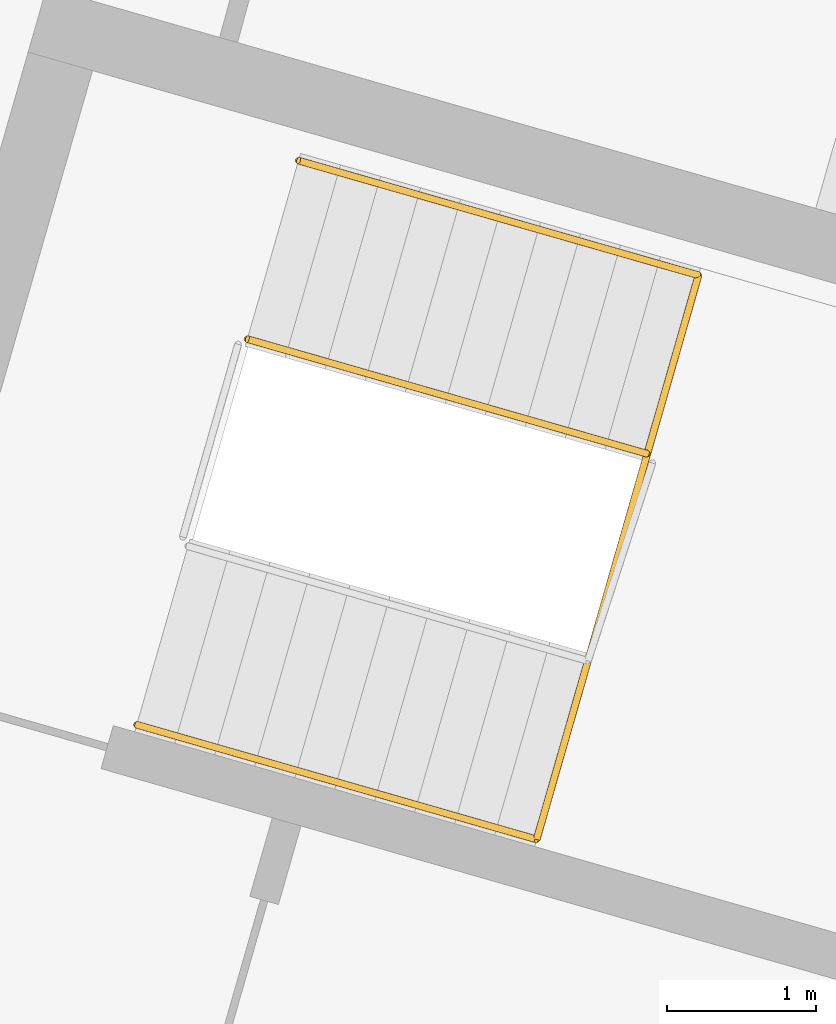
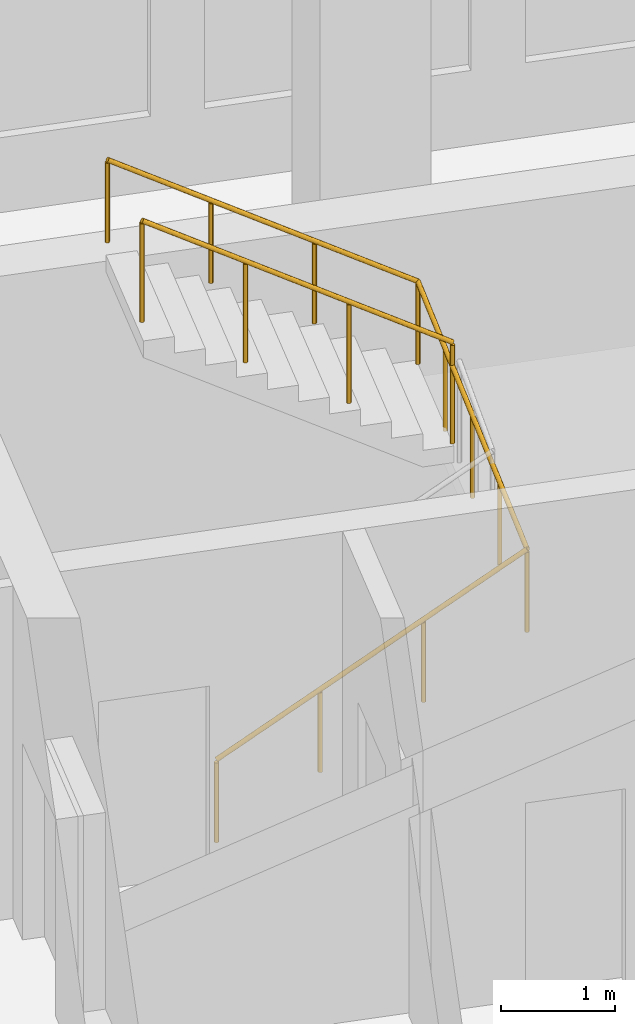
# One storey, part 10 of 11: 2 railings.
"""IFC4 building model written with IfcOpenShell, lengths in metres."""

from ifc_helpers import new_model, si_unit, direction, frame, origin, origin_2d, place, context, subcontext, project, spatial, circle, extrude, material, type_object, element, save


model = new_model("IFC4")

# Units and contexts
model_context = context("Model", 3, precision=1e-05, world=origin(), true_north=direction((0.0, 1.0)))
body_context = subcontext(model_context, "Body", "Model", "MODEL_VIEW")
ifc_project = project(units=[si_unit("LENGTHUNIT", "METRE"), si_unit("AREAUNIT", "SQUARE_METRE"), si_unit("VOLUMEUNIT", "CUBIC_METRE"), si_unit("PLANEANGLEUNIT", "RADIAN"), si_unit("MASSUNIT", "GRAM", prefix="KILO")], contexts=[model_context])

# Site, building, storey
site_placement = place(None, origin())
site = spatial("IfcSite", under=ifc_project, at=site_placement, CompositionType="ELEMENT")
building_placement = place(site_placement, origin())
building = spatial("IfcBuilding", under=site, at=building_placement, Name="Binnacle Exchange Tower", CompositionType="ELEMENT")
storey_placement = place(building_placement, frame((0.0, 0.0, 227.0)))
storey = spatial("IfcBuildingStorey", under=building, at=storey_placement, Name="L50", CompositionType="ELEMENT", Elevation=227.0)

# Railings
ifc_material_1 = material(Name="Steel guard rail", Category="steel")
railing_type_1 = type_object("IfcRailingType", Name="STAIR GUARD 1100", PredefinedType="GUARDRAIL", material=ifc_material_1)
railing_1_placement = place(storey_placement, frame((24.177734375, 57.332275390625, 2.127197265625)))
element("IfcRailing", 1, at=railing_1_placement, inside=storey, type_object=railing_type_1, Name="L50 STD1 stair guard 2", PredefinedType="GUARDRAIL", context=body_context, shape_type="SweptSolid", body=[
    extrude(circle(Radius=0.02392578125, at=origin_2d()), frame((0.0, 0.0, 1.076171875), z_axis=(-0.81215085225, 0.232948203448, 0.534926282491), x_axis=(-0.275711388614, -0.96124046429, 0.0)), (0.0, 0.0, 1.0), 3.31396484375),
    extrude(circle(Radius=0.02099609375, at=origin_2d()), origin(), (0.0, 0.0, 1.0), 1.052001953125),
    extrude(circle(Radius=0.02099609375, at=origin_2d()), frame((-0.897216796875, 0.25732421875, 0.5908203125)), (0.0, 0.0, 1.0), 1.052001953125),
    extrude(circle(Radius=0.02099609375, at=origin_2d()), frame((-1.794189453125, 0.5146484375, 1.181884765625)), (0.0, 0.0, 1.0), 1.052001953125),
    extrude(circle(Radius=0.02099609375, at=origin_2d()), frame((-2.69140625, 0.77197265625, 1.772705078125)), (0.0, 0.0, 1.0), 1.052001953125),
])
ifc_material_2 = material(Name="Steel handrail", Category="steel")
railing_type_2 = type_object("IfcRailingType", Name="STAIR HANDRAIL 900", PredefinedType="HANDRAIL", material=ifc_material_2)
railing_2_placement = place(storey_placement, frame((20.7421875, 55.5087890625, 0.17724609375)))
element("IfcRailing", 2, at=railing_2_placement, inside=storey, type_object=railing_type_2, Name="L50 STD1 stair handrail 1", PredefinedType="HANDRAIL", context=body_context, shape_type="SweptSolid", body=[
    extrude(circle(Radius=0.02392578125, at=origin_2d()), frame((0.0, 0.0, 0.8759765625), z_axis=(0.812164788183, -0.232878528252, 0.534935461448), x_axis=(0.275630818758, 0.961263570386, 0.0)), (0.0, 0.0, 1.0), 3.31396484375),
    extrude(circle(Radius=0.02392578125, at=origin_2d()), frame((2.69140625, -0.771728515625, 2.6484375), z_axis=(0.275390828663, 0.960286584611, 0.044828193186), x_axis=(-0.961252921364, 0.275667954558, 0.0)), (0.0, 0.0, 1.0), 3.953857421875),
    extrude(circle(Radius=0.02392578125, at=origin_2d()), frame((3.7802734375, 3.025146484375, 2.82568359375), z_axis=(-0.812189863168, 0.232864594782, 0.534903455461), x_axis=(-0.27560771734, -0.96127019414, 0.0)), (0.0, 0.0, 1.0), 3.31396484375),
    extrude(circle(Radius=0.02099609375, at=origin_2d()), origin(), (0.0, 0.0, 1.0), 0.851806640625),
    extrude(circle(Radius=0.02099609375, at=origin_2d()), frame((0.897216796875, -0.25732421875, 0.5908203125)), (0.0, 0.0, 1.0), 0.851806640625),
    extrude(circle(Radius=0.02099609375, at=origin_2d()), frame((1.794189453125, -0.514404296875, 1.181884765625)), (0.0, 0.0, 1.0), 0.851806640625),
    extrude(circle(Radius=0.02099609375, at=origin_2d()), frame((2.69140625, -0.771728515625, 1.772705078125)), (0.0, 0.0, 1.0), 0.851806640625),
    extrude(circle(Radius=0.02099609375, at=origin_2d()), frame((2.963623046875, 0.177490234375, 1.81689453125)), (0.0, 0.0, 1.0), 0.851806640625),
    extrude(circle(Radius=0.02099609375, at=origin_2d()), frame((3.23583984375, 1.126708984375, 1.861328125)), (0.0, 0.0, 1.0), 0.851806640625),
    extrude(circle(Radius=0.02099609375, at=origin_2d()), frame((3.508056640625, 2.075927734375, 1.90576171875)), (0.0, 0.0, 1.0), 0.851806640625),
    extrude(circle(Radius=0.02099609375, at=origin_2d()), frame((3.7802734375, 3.025146484375, 1.949951171875)), (0.0, 0.0, 1.0), 0.851806640625),
    extrude(circle(Radius=0.02099609375, at=origin_2d()), frame((2.883056640625, 3.282470703125, 2.540771484375)), (0.0, 0.0, 1.0), 0.851806640625),
    extrude(circle(Radius=0.02099609375, at=origin_2d()), frame((1.98583984375, 3.53955078125, 3.1318359375)), (0.0, 0.0, 1.0), 0.851806640625),
    extrude(circle(Radius=0.02099609375, at=origin_2d()), frame((1.088623046875, 3.796875, 3.72265625)), (0.0, 0.0, 1.0), 0.851806640625),
])

save(model, "model.ifc")
